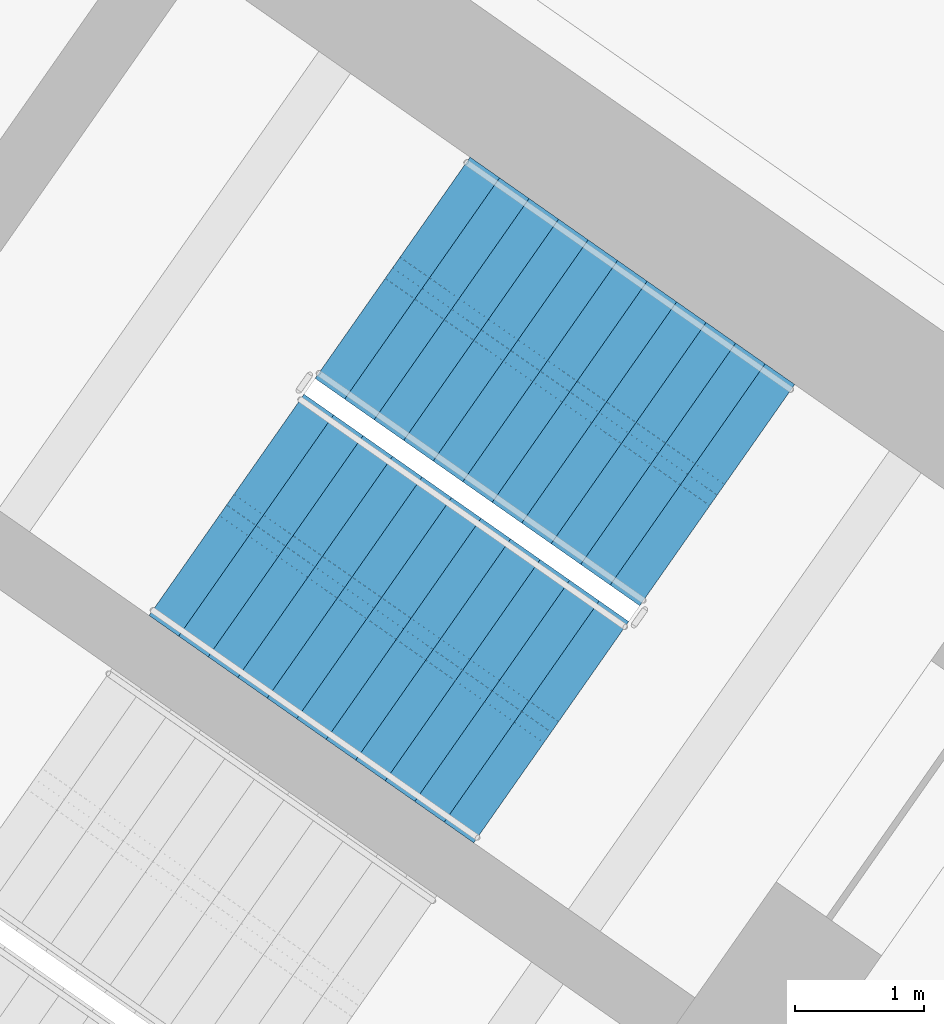
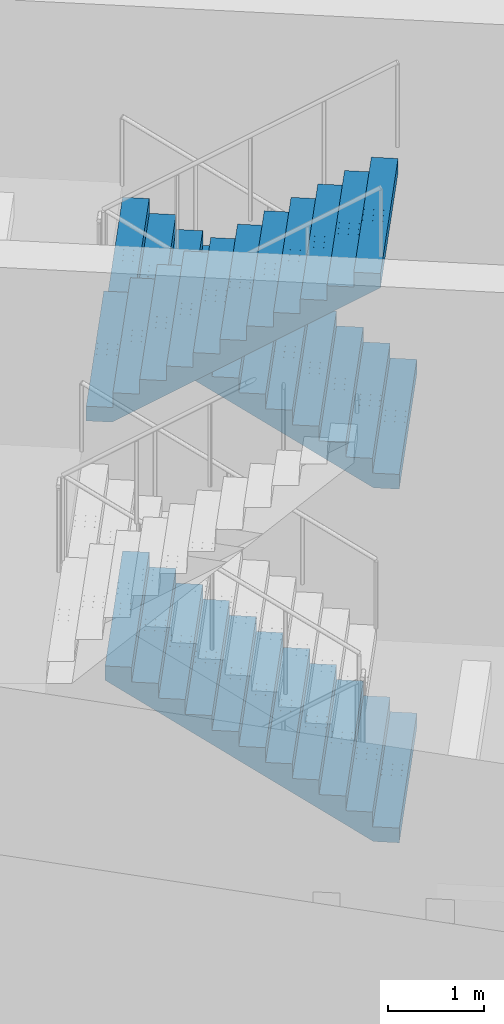
# One storey, part 26 of 37: 3 stair flights, 1 element without a shape of its own.
"""IFC4 building model written with IfcOpenShell, lengths in metres."""

from ifc_helpers import new_model, si_unit, direction, frame, origin, place, context, subcontext, project, spatial, polyline, outline, extrude, material, type_object, element, aggregate, save


model = new_model("IFC4")

# Units and contexts
model_context = context("Model", 3, precision=1e-05, world=origin(), true_north=direction((0.0, 1.0)))
body_context = subcontext(model_context, "Body", "Model", "MODEL_VIEW")
ifc_project = project(units=[si_unit("LENGTHUNIT", "METRE"), si_unit("AREAUNIT", "SQUARE_METRE"), si_unit("VOLUMEUNIT", "CUBIC_METRE"), si_unit("PLANEANGLEUNIT", "RADIAN"), si_unit("MASSUNIT", "GRAM", prefix="KILO")], contexts=[model_context])

# Site, building, storey
site_placement = place(None, origin())
site = spatial("IfcSite", under=ifc_project, at=site_placement, CompositionType="ELEMENT")
building_placement = place(site_placement, origin())
building = spatial("IfcBuilding", under=site, at=building_placement, Name="Tel Ilan Convention Tower", CompositionType="ELEMENT")
storey_placement = place(building_placement, origin())
storey = spatial("IfcBuildingStorey", under=building, at=storey_placement, Name="L00", CompositionType="ELEMENT", Elevation=0.0)

# Stair, stair flights
ifc_material_1 = material(Name="Concrete C40/50", Category="concrete")
stair_type = type_object("IfcStairType", Name="Pressurised Exit Stair 48 risers 188 mm", PredefinedType="HALF_TURN_STAIR", material=ifc_material_1)
stair_placement = place(storey_placement, origin())
stair = element("IfcStair", 1, at=stair_placement, inside=storey, type_object=stair_type, Name="L00 Pressurised Stair S3", PredefinedType="HALF_TURN_STAIR")
ifc_material_2 = material(Name="Precast Concrete C40/50", Category="concrete")
stair_flight_type = type_object("IfcStairFlightType", Name="Concrete Stair Flight 2100 mm 48 risers 188 mm", PredefinedType="STRAIGHT", material=ifc_material_2)
stair_flight_1_placement = place(storey_placement, frame((24.25244140625, -7.032470703125, 0.0), z_axis=(0.0, 0.0, 1.0), x_axis=(-0.819152044289, 0.573576436351, 0.0)))
stair_flight_1 = element("IfcStairFlight", 2, at=stair_flight_1_placement, type_object=stair_flight_type, Name="S3 flight 1", NumberOfRisers=12, NumberOfTreads=11, PredefinedType="STRAIGHT", RiserHeight=0.1875, TreadLength=0.28, context=body_context, shape_type="SweptSolid", body=[
    extrude(outline(polyline([(0.0, 0.0), (0.0, 0.1875), (0.280029296875, 0.1875), (0.280029296875, 0.375), (0.56005859375, 0.375), (0.56005859375, 0.5625), (0.840087890625, 0.5625), (0.840087890625, 0.75), (1.1201171875, 0.75), (1.1201171875, 0.9375), (1.39990234375, 0.9375), (1.39990234375, 1.125), (1.679931640625, 1.125), (1.679931640625, 1.3125), (1.9599609375, 1.3125), (1.9599609375, 1.5), (2.239990234375, 1.5), (2.239990234375, 1.6875), (2.52001953125, 1.6875), (2.52001953125, 1.875), (2.800048828125, 1.875), (2.800048828125, 2.0625), (3.080078125, 2.0625), (3.080078125, 2.25), (3.080078125, 1.882080078125), (0.26953125, 0.0), (0.0, 0.0)])), frame((0.0, -0.100341796875, 0.0), z_axis=(0.0, -1.0, 0.0), x_axis=(1.0, 0.0, 0.0)), (0.0, 0.0, 1.0), 0.94970703125),
    extrude(outline(polyline([(0.0, 0.0), (0.0, 0.1875), (0.280029296875, 0.1875), (0.280029296875, 0.375), (0.56005859375, 0.375), (0.56005859375, 0.5625), (0.840087890625, 0.5625), (0.840087890625, 0.75), (1.1201171875, 0.75), (1.1201171875, 0.9375), (1.39990234375, 0.9375), (1.39990234375, 1.125), (1.679931640625, 1.125), (1.679931640625, 1.3125), (1.9599609375, 1.3125), (1.9599609375, 1.5), (2.239990234375, 1.5), (2.239990234375, 1.6875), (2.52001953125, 1.6875), (2.52001953125, 1.875), (2.800048828125, 1.875), (2.800048828125, 2.0625), (3.080078125, 2.0625), (3.080078125, 2.25), (3.080078125, 1.882080078125), (0.26953125, 0.0), (0.0, 0.0)])), frame((0.0, -0.000244140625, 0.0), z_axis=(0.0, -1.0, 0.0), x_axis=(1.0, 0.0, 0.0)), (0.0, 0.0, 1.0), 0.099609375),
    extrude(outline(polyline([(0.0, 0.0), (0.0, 0.1875), (0.280029296875, 0.1875), (0.280029296875, 0.375), (0.56005859375, 0.375), (0.56005859375, 0.5625), (0.840087890625, 0.5625), (0.840087890625, 0.75), (1.1201171875, 0.75), (1.1201171875, 0.9375), (1.39990234375, 0.9375), (1.39990234375, 1.125), (1.679931640625, 1.125), (1.679931640625, 1.3125), (1.9599609375, 1.3125), (1.9599609375, 1.5), (2.239990234375, 1.5), (2.239990234375, 1.6875), (2.52001953125, 1.6875), (2.52001953125, 1.875), (2.800048828125, 1.875), (2.800048828125, 2.0625), (3.080078125, 2.0625), (3.080078125, 2.25), (3.080078125, 1.882080078125), (0.26953125, 0.0), (0.0, 0.0)])), frame((0.0, 0.099853515625, 0.0), z_axis=(0.0, -1.0, 0.0), x_axis=(1.0, 0.0, 0.0)), (0.0, 0.0, 1.0), 0.099609375),
    extrude(outline(polyline([(0.0, 0.0), (0.0, 0.1875), (0.280029296875, 0.1875), (0.280029296875, 0.375), (0.56005859375, 0.375), (0.56005859375, 0.5625), (0.840087890625, 0.5625), (0.840087890625, 0.75), (1.1201171875, 0.75), (1.1201171875, 0.9375), (1.39990234375, 0.9375), (1.39990234375, 1.125), (1.679931640625, 1.125), (1.679931640625, 1.3125), (1.9599609375, 1.3125), (1.9599609375, 1.5), (2.239990234375, 1.5), (2.239990234375, 1.6875), (2.52001953125, 1.6875), (2.52001953125, 1.875), (2.800048828125, 1.875), (2.800048828125, 2.0625), (3.080078125, 2.0625), (3.080078125, 2.25), (3.080078125, 1.882080078125), (0.26953125, 0.0), (0.0, 0.0)])), frame((0.0, 1.050048828125, 0.0), z_axis=(0.0, -1.0, 0.0), x_axis=(1.0, 0.0, 0.0)), (0.0, 0.0, 1.0), 0.94970703125),
])
stair_flight_2_placement = place(storey_placement, frame((24.25244140625, -7.032470703125, 4.5), z_axis=(0.0, 0.0, 1.0), x_axis=(-0.819152044289, 0.573576436351, 0.0)))
stair_flight_2 = element("IfcStairFlight", 3, at=stair_flight_2_placement, type_object=stair_flight_type, Name="S3 flight 3", NumberOfRisers=12, NumberOfTreads=11, PredefinedType="STRAIGHT", RiserHeight=0.1875, TreadLength=0.28, context=body_context, shape_type="SweptSolid", body=[
    extrude(outline(polyline([(0.0, 0.0), (0.0, 0.1875), (0.280029296875, 0.1875), (0.280029296875, 0.375), (0.56005859375, 0.375), (0.56005859375, 0.5625), (0.840087890625, 0.5625), (0.840087890625, 0.75), (1.1201171875, 0.75), (1.1201171875, 0.9375), (1.39990234375, 0.9375), (1.39990234375, 1.125), (1.679931640625, 1.125), (1.679931640625, 1.3125), (1.9599609375, 1.3125), (1.9599609375, 1.5), (2.239990234375, 1.5), (2.239990234375, 1.6875), (2.52001953125, 1.6875), (2.52001953125, 1.875), (2.800048828125, 1.875), (2.800048828125, 2.0625), (3.080078125, 2.0625), (3.080078125, 2.25), (3.080078125, 1.882080078125), (0.26953125, 0.0), (0.0, 0.0)])), frame((0.0, -0.100341796875, 0.0), z_axis=(0.0, -1.0, 0.0), x_axis=(1.0, 0.0, 0.0)), (0.0, 0.0, 1.0), 0.94970703125),
    extrude(outline(polyline([(0.0, 0.0), (0.0, 0.1875), (0.280029296875, 0.1875), (0.280029296875, 0.375), (0.56005859375, 0.375), (0.56005859375, 0.5625), (0.840087890625, 0.5625), (0.840087890625, 0.75), (1.1201171875, 0.75), (1.1201171875, 0.9375), (1.39990234375, 0.9375), (1.39990234375, 1.125), (1.679931640625, 1.125), (1.679931640625, 1.3125), (1.9599609375, 1.3125), (1.9599609375, 1.5), (2.239990234375, 1.5), (2.239990234375, 1.6875), (2.52001953125, 1.6875), (2.52001953125, 1.875), (2.800048828125, 1.875), (2.800048828125, 2.0625), (3.080078125, 2.0625), (3.080078125, 2.25), (3.080078125, 1.882080078125), (0.26953125, 0.0), (0.0, 0.0)])), frame((0.0, -0.000244140625, 0.0), z_axis=(0.0, -1.0, 0.0), x_axis=(1.0, 0.0, 0.0)), (0.0, 0.0, 1.0), 0.099609375),
    extrude(outline(polyline([(0.0, 0.0), (0.0, 0.1875), (0.280029296875, 0.1875), (0.280029296875, 0.375), (0.56005859375, 0.375), (0.56005859375, 0.5625), (0.840087890625, 0.5625), (0.840087890625, 0.75), (1.1201171875, 0.75), (1.1201171875, 0.9375), (1.39990234375, 0.9375), (1.39990234375, 1.125), (1.679931640625, 1.125), (1.679931640625, 1.3125), (1.9599609375, 1.3125), (1.9599609375, 1.5), (2.239990234375, 1.5), (2.239990234375, 1.6875), (2.52001953125, 1.6875), (2.52001953125, 1.875), (2.800048828125, 1.875), (2.800048828125, 2.0625), (3.080078125, 2.0625), (3.080078125, 2.25), (3.080078125, 1.882080078125), (0.26953125, 0.0), (0.0, 0.0)])), frame((0.0, 0.099853515625, 0.0), z_axis=(0.0, -1.0, 0.0), x_axis=(1.0, 0.0, 0.0)), (0.0, 0.0, 1.0), 0.099609375),
    extrude(outline(polyline([(0.0, 0.0), (0.0, 0.1875), (0.280029296875, 0.1875), (0.280029296875, 0.375), (0.56005859375, 0.375), (0.56005859375, 0.5625), (0.840087890625, 0.5625), (0.840087890625, 0.75), (1.1201171875, 0.75), (1.1201171875, 0.9375), (1.39990234375, 0.9375), (1.39990234375, 1.125), (1.679931640625, 1.125), (1.679931640625, 1.3125), (1.9599609375, 1.3125), (1.9599609375, 1.5), (2.239990234375, 1.5), (2.239990234375, 1.6875), (2.52001953125, 1.6875), (2.52001953125, 1.875), (2.800048828125, 1.875), (2.800048828125, 2.0625), (3.080078125, 2.0625), (3.080078125, 2.25), (3.080078125, 1.882080078125), (0.26953125, 0.0), (0.0, 0.0)])), frame((0.0, 1.050048828125, 0.0), z_axis=(0.0, -1.0, 0.0), x_axis=(1.0, 0.0, 0.0)), (0.0, 0.0, 1.0), 0.94970703125),
])
stair_flight_3_placement = place(storey_placement, frame((20.43896484375, -7.10888671875, 6.75), z_axis=(0.0, 0.0, 1.0), x_axis=(0.819152044289, -0.573576436351, 0.0)))
stair_flight_3 = element("IfcStairFlight", 4, at=stair_flight_3_placement, type_object=stair_flight_type, Name="S3 flight 4", NumberOfRisers=12, NumberOfTreads=11, PredefinedType="STRAIGHT", RiserHeight=0.1875, TreadLength=0.28, context=body_context, shape_type="SweptSolid", body=[
    extrude(outline(polyline([(0.0, 0.0), (0.0, 0.1875), (0.280029296875, 0.1875), (0.280029296875, 0.375), (0.56005859375, 0.375), (0.56005859375, 0.5625), (0.840087890625, 0.5625), (0.840087890625, 0.75), (1.1201171875, 0.75), (1.1201171875, 0.9375), (1.39990234375, 0.9375), (1.39990234375, 1.125), (1.679931640625, 1.125), (1.679931640625, 1.3125), (1.9599609375, 1.3125), (1.9599609375, 1.5), (2.239990234375, 1.5), (2.239990234375, 1.6875), (2.52001953125, 1.6875), (2.52001953125, 1.875), (2.800048828125, 1.875), (2.800048828125, 2.0625), (3.080078125, 2.0625), (3.080078125, 2.25), (3.080078125, 1.882080078125), (0.26953125, 0.0), (0.0, 0.0)])), frame((0.0, -0.100341796875, 0.0), z_axis=(0.0, -1.0, 0.0), x_axis=(1.0, 0.0, 0.0)), (0.0, 0.0, 1.0), 0.94970703125),
    extrude(outline(polyline([(0.0, 0.0), (0.0, 0.1875), (0.280029296875, 0.1875), (0.280029296875, 0.375), (0.56005859375, 0.375), (0.56005859375, 0.5625), (0.840087890625, 0.5625), (0.840087890625, 0.75), (1.1201171875, 0.75), (1.1201171875, 0.9375), (1.39990234375, 0.9375), (1.39990234375, 1.125), (1.679931640625, 1.125), (1.679931640625, 1.3125), (1.9599609375, 1.3125), (1.9599609375, 1.5), (2.239990234375, 1.5), (2.239990234375, 1.6875), (2.52001953125, 1.6875), (2.52001953125, 1.875), (2.800048828125, 1.875), (2.800048828125, 2.0625), (3.080078125, 2.0625), (3.080078125, 2.25), (3.080078125, 1.882080078125), (0.26953125, 0.0), (0.0, 0.0)])), frame((0.0, -0.000244140625, 0.0), z_axis=(0.0, -1.0, 0.0), x_axis=(1.0, 0.0, 0.0)), (0.0, 0.0, 1.0), 0.099609375),
    extrude(outline(polyline([(0.0, 0.0), (0.0, 0.1875), (0.280029296875, 0.1875), (0.280029296875, 0.375), (0.56005859375, 0.375), (0.56005859375, 0.5625), (0.840087890625, 0.5625), (0.840087890625, 0.75), (1.1201171875, 0.75), (1.1201171875, 0.9375), (1.39990234375, 0.9375), (1.39990234375, 1.125), (1.679931640625, 1.125), (1.679931640625, 1.3125), (1.9599609375, 1.3125), (1.9599609375, 1.5), (2.239990234375, 1.5), (2.239990234375, 1.6875), (2.52001953125, 1.6875), (2.52001953125, 1.875), (2.800048828125, 1.875), (2.800048828125, 2.0625), (3.080078125, 2.0625), (3.080078125, 2.25), (3.080078125, 1.882080078125), (0.26953125, 0.0), (0.0, 0.0)])), frame((0.0, 0.099853515625, 0.0), z_axis=(0.0, -1.0, 0.0), x_axis=(1.0, 0.0, 0.0)), (0.0, 0.0, 1.0), 0.099609375),
    extrude(outline(polyline([(0.0, 0.0), (0.0, 0.1875), (0.280029296875, 0.1875), (0.280029296875, 0.375), (0.56005859375, 0.375), (0.56005859375, 0.5625), (0.840087890625, 0.5625), (0.840087890625, 0.75), (1.1201171875, 0.75), (1.1201171875, 0.9375), (1.39990234375, 0.9375), (1.39990234375, 1.125), (1.679931640625, 1.125), (1.679931640625, 1.3125), (1.9599609375, 1.3125), (1.9599609375, 1.5), (2.239990234375, 1.5), (2.239990234375, 1.6875), (2.52001953125, 1.6875), (2.52001953125, 1.875), (2.800048828125, 1.875), (2.800048828125, 2.0625), (3.080078125, 2.0625), (3.080078125, 2.25), (3.080078125, 1.882080078125), (0.26953125, 0.0), (0.0, 0.0)])), frame((0.0, 1.050048828125, 0.0), z_axis=(0.0, -1.0, 0.0), x_axis=(1.0, 0.0, 0.0)), (0.0, 0.0, 1.0), 0.94970703125),
])
aggregate(stair, [stair_flight_1, stair_flight_2, stair_flight_3])

save(model, "model.ifc")
